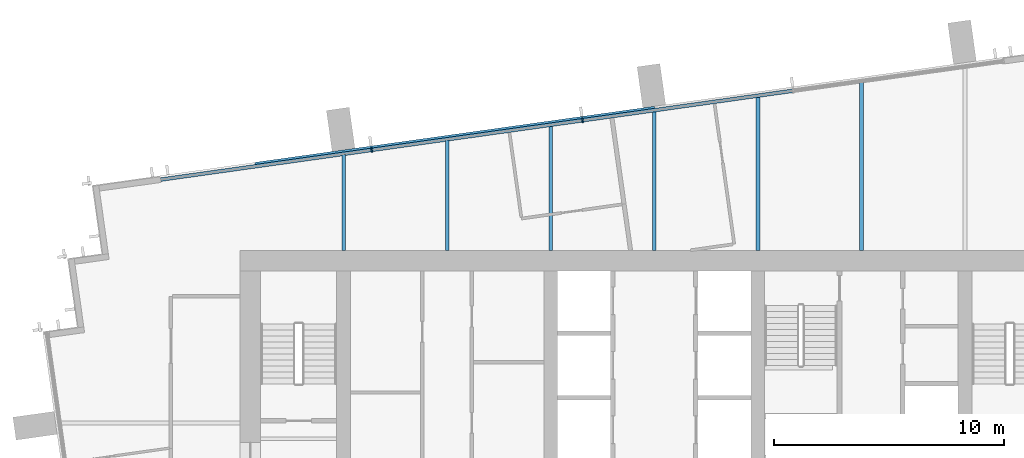
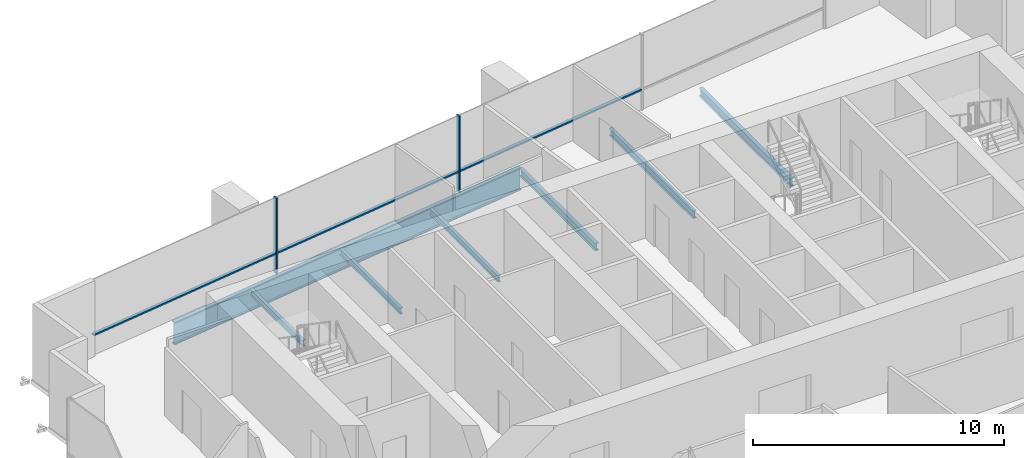
# One storey, part 5 of 12: 7 beams, 5 members, 1 element without a shape of its own.
"""IFC4 building model written with IfcOpenShell, lengths in metres."""

from ifc_helpers import new_model, si_unit, direction, frame, origin, origin_2d, place, context, subcontext, project, spatial, rectangle, i_section, extrude, material, layer, layer_set, material_profile, profile_set, type_object, element, aggregate, save


model = new_model("IFC4")

# Units and contexts
model_context = context("Model", 3, precision=1e-05, world=origin(), true_north=direction((0.0, 1.0)))
body_context = subcontext(model_context, "Body", "Model", "MODEL_VIEW")
ifc_project = project(units=[si_unit("LENGTHUNIT", "METRE"), si_unit("AREAUNIT", "SQUARE_METRE"), si_unit("VOLUMEUNIT", "CUBIC_METRE"), si_unit("PLANEANGLEUNIT", "RADIAN"), si_unit("MASSUNIT", "GRAM", prefix="KILO")], contexts=[model_context])

# Site, building, storey
site_placement = place(None, origin())
site = spatial("IfcSite", under=ifc_project, at=site_placement, CompositionType="ELEMENT")
building_placement = place(site_placement, origin())
building = spatial("IfcBuilding", under=site, at=building_placement, Name="Rattan Terrace Tower", CompositionType="ELEMENT")
storey_placement = place(building_placement, frame((0.0, 0.0, 282.39990234375)))
storey = spatial("IfcBuildingStorey", under=building, at=storey_placement, Name="L65", CompositionType="ELEMENT", Elevation=282.39990234375)

# Beams
ifc_material_1 = material(Name="Steel S460", Category="steel")
ifc_material_profile_1 = material_profile(ifc_material_1, i_section(OverallWidth=0.179931640625, OverallDepth=1.10009765625, WebThickness=0.01611328125, FlangeThickness=0.050048828125, at=origin_2d()), Name="PG 1100x180-16-50")
ifc_profile_set_1 = profile_set([ifc_material_profile_1], Name="Steel S460")
beam_type_1 = type_object("IfcBeamType", Name="Frame edge girder PG 1100x180-16-50", PredefinedType="SPANDREL", material=ifc_profile_set_1)
beam_1_placement = place(storey_placement, frame((-17.347900390625, 11.22900390625, -0.75), z_axis=(0.990275473288, 0.139120404699, 0.0), x_axis=(-0.139120404699, 0.990275473288, 0.0)))
element("IfcBeam", 1, at=beam_1_placement, inside=storey, type_object=beam_type_1, Name="gdr-L65-005", PredefinedType="SPANDREL", context=body_context, shape_type="SweptSolid", body=[
    extrude(i_section(OverallWidth=0.179931640625, OverallDepth=1.10009765625, WebThickness=0.01611328125, FlangeThickness=0.050048828125, at=origin_2d()), origin(), (0.0, 0.0, 1.0), 17.53125),
])
ifc_material_2 = material(Name="Steel S355", Category="steel")
ifc_material_profile_2 = material_profile(ifc_material_2, i_section(OverallWidth=0.14990234375, OverallDepth=0.300048828125, WebThickness=0.007080078125, FlangeThickness=0.0107421875, FilletRadius=0.014892578125, at=origin_2d()), Name="IPE 300")
ifc_profile_set_2 = profile_set([ifc_material_profile_2], Name="Steel S355")
beam_type_2 = type_object("IfcBeamType", Name="Frame floor beam IPE 300", PredefinedType="JOIST", material=ifc_profile_set_2)
beam_2_placement = place(storey_placement, frame((-13.5, 7.5, -0.349853515625), z_axis=(0.0, 1.0, 0.0), x_axis=(-1.0, 0.0, 0.0)))
element("IfcBeam", 2, at=beam_2_placement, inside=storey, type_object=beam_type_2, Name="bm-L65-015", PredefinedType="JOIST", context=body_context, shape_type="SweptSolid", body=[
    extrude(i_section(OverallWidth=0.14990234375, OverallDepth=0.300048828125, WebThickness=0.007080078125, FlangeThickness=0.0107421875, FilletRadius=0.014892578125, at=origin_2d()), origin(), (0.0, 0.0, 1.0), 4.16796875),
])
beam_3_placement = place(storey_placement, frame((-9.0, 7.5, -0.349853515625), z_axis=(0.0, 1.0, 0.0), x_axis=(-1.0, 0.0, 0.0)))
element("IfcBeam", 3, at=beam_3_placement, inside=storey, type_object=beam_type_2, Name="bm-L65-016", PredefinedType="JOIST", context=body_context, shape_type="SweptSolid", body=[
    extrude(i_section(OverallWidth=0.14990234375, OverallDepth=0.300048828125, WebThickness=0.007080078125, FlangeThickness=0.0107421875, FilletRadius=0.014892578125, at=origin_2d()), origin(), (0.0, 0.0, 1.0), 4.800048828125),
])
beam_4_placement = place(storey_placement, frame((-4.5, 7.5, -0.349853515625), z_axis=(0.0, 1.0, 0.0), x_axis=(-1.0, 0.0, 0.0)))
element("IfcBeam", 4, at=beam_4_placement, inside=storey, type_object=beam_type_2, Name="bm-L65-017", PredefinedType="JOIST", context=body_context, shape_type="SweptSolid", body=[
    extrude(i_section(OverallWidth=0.14990234375, OverallDepth=0.300048828125, WebThickness=0.007080078125, FlangeThickness=0.0107421875, FilletRadius=0.014892578125, at=origin_2d()), origin(), (0.0, 0.0, 1.0), 5.43310546875),
])
ifc_material_3 = material(Name="Steel S355", Category="steel")
ifc_material_profile_3 = material_profile(ifc_material_3, i_section(OverallWidth=0.169921875, OverallDepth=0.360107421875, WebThickness=0.008056640625, FlangeThickness=0.0126953125, FilletRadius=0.01806640625, at=origin_2d()), Name="IPE 360")
ifc_profile_set_3 = profile_set([ifc_material_profile_3], Name="Steel S355")
beam_type_3 = type_object("IfcBeamType", Name="Frame floor beam IPE 360", PredefinedType="JOIST", material=ifc_profile_set_3)
beam_5_placement = place(storey_placement, frame((0.0, 7.5, -0.3798828125), z_axis=(0.0, 1.0, 0.0), x_axis=(-1.0, 0.0, 0.0)))
element("IfcBeam", 5, at=beam_5_placement, inside=storey, type_object=beam_type_3, Name="bm-L65-018", PredefinedType="JOIST", context=body_context, shape_type="SweptSolid", body=[
    extrude(i_section(OverallWidth=0.169921875, OverallDepth=0.360107421875, WebThickness=0.008056640625, FlangeThickness=0.0126953125, FilletRadius=0.01806640625, at=origin_2d()), origin(), (0.0, 0.0, 1.0), 6.06298828125),
])
beam_6_placement = place(storey_placement, frame((4.5, 7.5, -0.3798828125), z_axis=(0.0, 1.0, 0.0), x_axis=(-1.0, 0.0, 0.0)))
element("IfcBeam", 6, at=beam_6_placement, inside=storey, type_object=beam_type_3, Name="bm-L65-019", PredefinedType="JOIST", context=body_context, shape_type="SweptSolid", body=[
    extrude(i_section(OverallWidth=0.169921875, OverallDepth=0.360107421875, WebThickness=0.008056640625, FlangeThickness=0.0126953125, FilletRadius=0.01806640625, at=origin_2d()), origin(), (0.0, 0.0, 1.0), 6.696044921875),
])
ifc_material_4 = material(Name="Steel S355", Category="steel")
ifc_material_profile_4 = material_profile(ifc_material_4, i_section(OverallWidth=0.179931640625, OverallDepth=0.39990234375, WebThickness=0.008544921875, FlangeThickness=0.013427734375, FilletRadius=0.02099609375, at=origin_2d()), Name="IPE 400")
ifc_profile_set_4 = profile_set([ifc_material_profile_4], Name="Steel S355")
beam_type_4 = type_object("IfcBeamType", Name="Frame floor beam IPE 400", PredefinedType="JOIST", material=ifc_profile_set_4)
beam_7_placement = place(storey_placement, frame((9.0, 7.5, -0.39990234375), z_axis=(0.0, 1.0, 0.0), x_axis=(-1.0, 0.0, 0.0)))
element("IfcBeam", 7, at=beam_7_placement, inside=storey, type_object=beam_type_4, Name="bm-L65-020", PredefinedType="JOIST", context=body_context, shape_type="SweptSolid", body=[
    extrude(i_section(OverallWidth=0.179931640625, OverallDepth=0.39990234375, WebThickness=0.008544921875, FlangeThickness=0.013427734375, FilletRadius=0.02099609375, at=origin_2d()), origin(), (0.0, 0.0, 1.0), 7.327880859375),
])

# Curtain wall, members
ifc_material_5 = material(Name="Aluminium and laminated glass", Category="aluminium")
ifc_layer = layer(ifc_material_5, 0.199951171875)
ifc_layer_set = layer_set([ifc_layer], Name="High-Zone Unitised Curtain Wall")
curtain_wall_type = type_object("IfcCurtainWallType", Name="High-Zone Unitised Curtain Wall", PredefinedType="NOTDEFINED", material=ifc_layer_set)
curtain_wall_placement = place(storey_placement, origin())
curtain_wall = element("IfcCurtainWall", 8, at=curtain_wall_placement, inside=storey, type_object=curtain_wall_type, Name="High-zone curtain wall L65-2", PredefinedType="NOTDEFINED")
ifc_material_6 = material(Name="Aluminium", Category="aluminium")
ifc_material_profile_5 = material_profile(ifc_material_6, rectangle(XDim=0.070068359375, YDim=0.199951171875, at=origin_2d()), Name="Aluminium 70x200")
ifc_profile_set_5 = profile_set([ifc_material_profile_5], Name="Aluminium")
member_type_1 = type_object("IfcMemberType", Name="High-Zone CW Mullion 70x200", PredefinedType="MULLION", material=ifc_profile_set_5)
member_1_placement = place(storey_placement, frame((-3.1181640625, 13.14697265625, 0.0), z_axis=(0.0, 0.0, 1.0), x_axis=(-0.990265894013, -0.139188574079, 0.0)))
member_1 = element("IfcMember", 9, at=member_1_placement, type_object=member_type_1, Name="Mullion cwl-L65-002.3", PredefinedType="MULLION", context=body_context, shape_type="SweptSolid", body=[
    extrude(rectangle(XDim=0.070068359375, YDim=0.199951171875, at=origin_2d()), origin(), (0.0, 0.0, 1.0), 3.7001953125),
])
member_2_placement = place(storey_placement, frame((-12.27734375, 11.859619140625, 0.0), z_axis=(0.0, 0.0, 1.0), x_axis=(-0.990265894013, -0.139188574079, 0.0)))
member_2 = element("IfcMember", 10, at=member_2_placement, type_object=member_type_1, Name="Mullion cwl-L65-002.4", PredefinedType="MULLION", context=body_context, shape_type="SweptSolid", body=[
    extrude(rectangle(XDim=0.070068359375, YDim=0.199951171875, at=origin_2d()), origin(), (0.0, 0.0, 1.0), 3.7001953125),
])
ifc_material_7 = material(Name="Aluminium", Category="aluminium")
ifc_material_profile_6 = material_profile(ifc_material_7, rectangle(XDim=0.159912109375, YDim=0.070068359375, at=origin_2d()), Name="Aluminium 160x70")
ifc_profile_set_6 = profile_set([ifc_material_profile_6], Name="Aluminium")
member_type_2 = type_object("IfcMemberType", Name="High-Zone CW Transom 160x70", PredefinedType="USERDEFINED", material=ifc_profile_set_6)
member_3_placement = place(storey_placement, frame((6.006103515625, 14.429443359375, 1.0), z_axis=(-0.990266147156, -0.139186773067, 0.0), x_axis=(0.139186773067, -0.990266147156, 0.0)))
member_3 = element("IfcMember", 11, at=member_3_placement, type_object=member_type_2, Name="Transom cwl-L65-002.2", ObjectType="TRANSOM", PredefinedType="USERDEFINED", context=body_context, shape_type="SweptSolid", body=[
    extrude(rectangle(XDim=0.159912109375, YDim=0.070068359375, at=origin_2d()), origin(), (0.0, 0.0, 1.0), 9.178955078125),
])
member_4_placement = place(storey_placement, frame((-3.15283203125, 13.14208984375, 1.0), z_axis=(-0.990266662415, -0.139183107123, 0.0), x_axis=(0.139183107123, -0.990266662415, 0.0)))
member_4 = element("IfcMember", 12, at=member_4_placement, type_object=member_type_2, Name="Transom cwl-L65-002.3", ObjectType="TRANSOM", PredefinedType="USERDEFINED", context=body_context, shape_type="SweptSolid", body=[
    extrude(rectangle(XDim=0.159912109375, YDim=0.070068359375, at=origin_2d()), origin(), (0.0, 0.0, 1.0), 9.17919921875),
])
member_5_placement = place(storey_placement, frame((-12.31201171875, 11.854736328125, 1.0), z_axis=(-0.990263767768, -0.139203700545, 0.0), x_axis=(0.139203700545, -0.990263767768, 0.0)))
member_5 = element("IfcMember", 13, at=member_5_placement, type_object=member_type_2, Name="Transom cwl-L65-002.4", ObjectType="TRANSOM", PredefinedType="USERDEFINED", context=body_context, shape_type="SweptSolid", body=[
    extrude(rectangle(XDim=0.159912109375, YDim=0.070068359375, at=origin_2d()), origin(), (0.0, 0.0, 1.0), 9.21826171875),
])
aggregate(curtain_wall, [member_1, member_2, member_3, member_4, member_5])

save(model, "model.ifc")
